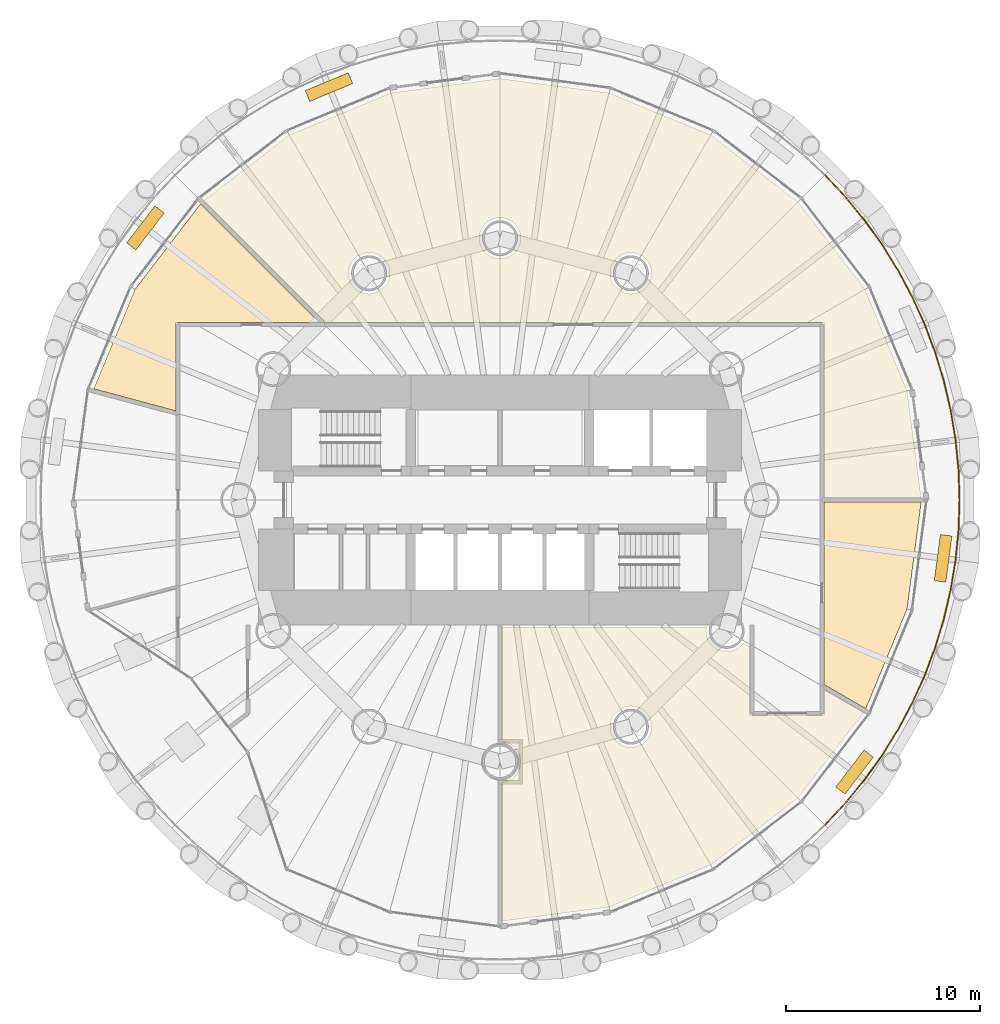
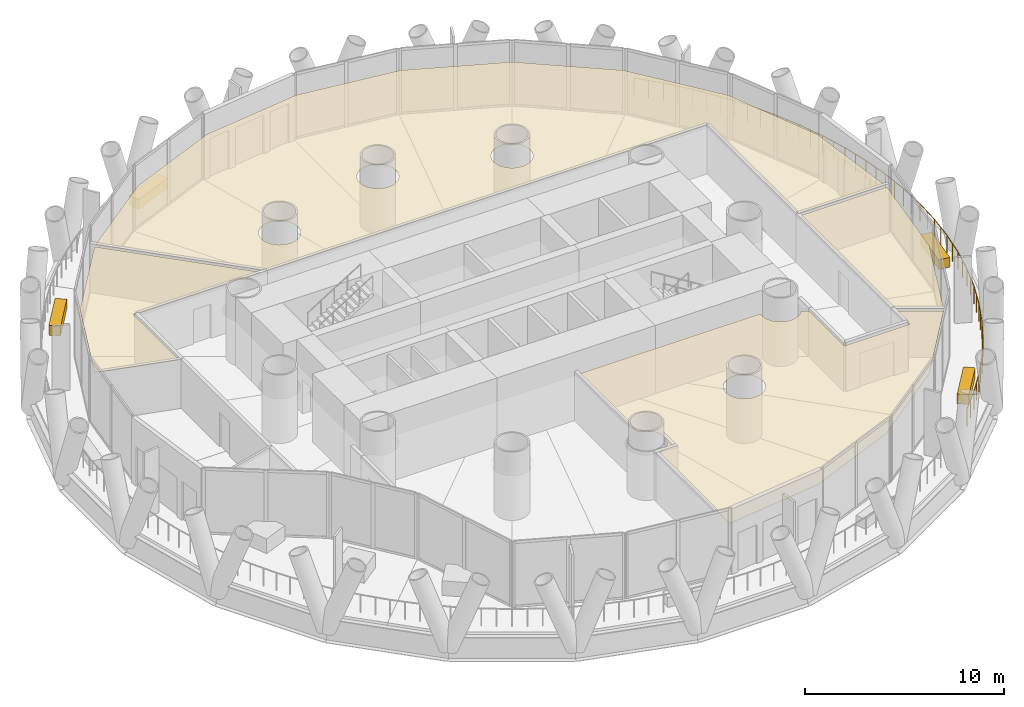
# One storey, part 13 of 14: 8 coverings, 1 railing.
"""IFC4 building model written with IfcOpenShell, lengths in metres."""

from ifc_helpers import new_model, si_unit, direction, frame, origin, origin_2d, place, context, subcontext, project, spatial, polyline, rectangle, circle, outline, extrude, material, layer, layer_set, type_object, element, save


model = new_model("IFC4")

# Units and contexts
model_context = context("Model", 3, precision=1e-05, world=origin(), true_north=direction((0.0, 1.0)))
body_context = subcontext(model_context, "Body", "Model", "MODEL_VIEW")
ifc_project = project(units=[si_unit("LENGTHUNIT", "METRE"), si_unit("AREAUNIT", "SQUARE_METRE"), si_unit("VOLUMEUNIT", "CUBIC_METRE"), si_unit("PLANEANGLEUNIT", "RADIAN"), si_unit("MASSUNIT", "GRAM", prefix="KILO")], contexts=[model_context])

# Site, building, storey
site_placement = place(None, origin())
site = spatial("IfcSite", under=ifc_project, at=site_placement, CompositionType="ELEMENT")
building_placement = place(site_placement, origin())
building = spatial("IfcBuilding", under=site, at=building_placement, Name="Qaws Media Tower", CompositionType="ELEMENT")
storey_placement = place(building_placement, frame((0.0, 0.0, 185.60009765625)))
storey = spatial("IfcBuildingStorey", under=building, at=storey_placement, Name="L42", CompositionType="ELEMENT", Elevation=185.60009765625)

# Railing
ifc_material_1 = material(Name="Stainless steel and glass guard", Category="steel")
railing_type = type_object("IfcRailingType", Name="Balcony guard 1100", PredefinedType="GUARDRAIL", material=ifc_material_1)
railing_placement = place(storey_placement, frame((76.758544921875, 33.241455078125, 0.0)))
element("IfcRailing", 1, at=railing_placement, inside=storey, type_object=railing_type, Name="GR1 balcony guard L42-4", PredefinedType="GUARDRAIL", context=body_context, shape_type="SweptSolid", body=[
    extrude(circle(Radius=0.02392578125, at=origin_2d()), frame((0.0, 0.0, 1.076171875), z_axis=(0.683506391464, 0.729944527227, 0.0), x_axis=(-0.729944527227, 0.683506391464, 0.0)), (0.0, 0.0, 1.0), 1.551025390625),
    extrude(circle(Radius=0.02392578125, at=origin_2d()), frame((1.06005859375, 1.132080078125, 1.076171875), z_axis=(0.634437227043, 0.772974388283, 0.0), x_axis=(-0.772974388283, 0.634437227043, 0.0)), (0.0, 0.0, 1.0), 1.55078125),
    extrude(circle(Radius=0.02392578125, at=origin_2d()), frame((2.0439453125, 2.330810546875, 1.076171875), z_axis=(0.582428805867, 0.812881717162, 0.0), x_axis=(-0.812881717162, 0.582428805867, 0.0)), (0.0, 0.0, 1.0), 1.551025390625),
    extrude(circle(Radius=0.02392578125, at=origin_2d()), frame((2.947265625, 3.591552734375, 1.076171875), z_axis=(0.528158129479, 0.849146035889, 0.0), x_axis=(-0.849146035889, 0.528158129479, 0.0)), (0.0, 0.0, 1.0), 1.55078125),
    extrude(circle(Radius=0.02392578125, at=origin_2d()), frame((3.766357421875, 4.908447265625, 1.076171875), z_axis=(0.471290719763, 0.881977923457, 0.0), x_axis=(-0.881977923457, 0.471290719763, 0.0)), (0.0, 0.0, 1.0), 1.551025390625),
    extrude(circle(Radius=0.02392578125, at=origin_2d()), frame((4.497314453125, 6.2763671875, 1.076171875), z_axis=(0.412758946804, 0.910840299851, 0.0), x_axis=(-0.910840299851, 0.412758946804, 0.0)), (0.0, 0.0, 1.0), 1.55078125),
    extrude(circle(Radius=0.02392578125, at=origin_2d()), frame((5.137451171875, 7.68896484375, 1.076171875), z_axis=(0.352175642703, 0.935933927522, 0.0), x_axis=(-0.935933927522, 0.352175642703, 0.0)), (0.0, 0.0, 1.0), 1.55078125),
    extrude(circle(Radius=0.02392578125, at=origin_2d()), frame((5.68359375, 9.140380859375, 1.076171875), z_axis=(0.290278263937, 0.956942281167, 0.0), x_axis=(-0.956942281167, 0.290278263937, 0.0)), (0.0, 0.0, 1.0), 1.551025390625),
    extrude(circle(Radius=0.02392578125, at=origin_2d()), frame((6.1337890625, 10.62451171875, 1.076171875), z_axis=(0.22713507216, 0.97386326504, 0.0), x_axis=(-0.97386326504, 0.22713507216, 0.0)), (0.0, 0.0, 1.0), 1.551025390625),
    extrude(circle(Radius=0.02392578125, at=origin_2d()), frame((6.486083984375, 12.135009765625, 1.076171875), z_axis=(0.162943612803, 0.98663538303, 0.0), x_axis=(-0.98663538303, 0.162943612803, 0.0)), (0.0, 0.0, 1.0), 1.55078125),
    extrude(circle(Radius=0.02392578125, at=origin_2d()), frame((6.73876953125, 13.6650390625, 1.076171875), z_axis=(0.097913828797, 0.995194896556, 0.0), x_axis=(-0.995194896556, 0.097913828797, 0.0)), (0.0, 0.0, 1.0), 1.551025390625),
    extrude(circle(Radius=0.02392578125, at=origin_2d()), frame((6.890625, 15.20849609375, 1.076171875), z_axis=(0.032743497856, 0.999463787912, 0.0), x_axis=(-0.999463787912, 0.032743497856, 0.0)), (0.0, 0.0, 1.0), 1.55078125),
    extrude(circle(Radius=0.02392578125, at=origin_2d()), frame((6.94140625, 16.758544921875, 1.076171875), z_axis=(-0.032743497856, 0.999463787912, 0.0), x_axis=(-0.999463787912, -0.032743497856, 0.0)), (0.0, 0.0, 1.0), 1.55078125),
    extrude(circle(Radius=0.02392578125, at=origin_2d()), frame((6.890625, 18.30859375, 1.076171875), z_axis=(-0.097913828797, 0.995194896556, 0.0), x_axis=(-0.995194896556, -0.097913828797, 0.0)), (0.0, 0.0, 1.0), 1.551025390625),
    extrude(circle(Radius=0.02392578125, at=origin_2d()), frame((6.73876953125, 19.85205078125, 1.076171875), z_axis=(-0.162943612803, 0.98663538303, 0.0), x_axis=(-0.98663538303, -0.162943612803, 0.0)), (0.0, 0.0, 1.0), 1.55078125),
    extrude(circle(Radius=0.02392578125, at=origin_2d()), frame((6.486083984375, 21.382080078125, 1.076171875), z_axis=(-0.22713507216, 0.97386326504, 0.0), x_axis=(-0.97386326504, -0.22713507216, 0.0)), (0.0, 0.0, 1.0), 1.551025390625),
    extrude(circle(Radius=0.02392578125, at=origin_2d()), frame((6.1337890625, 22.892578125, 1.076171875), z_axis=(-0.290278263937, 0.956942281167, 0.0), x_axis=(-0.956942281167, -0.290278263937, 0.0)), (0.0, 0.0, 1.0), 1.551025390625),
    extrude(circle(Radius=0.02392578125, at=origin_2d()), frame((5.68359375, 24.376708984375, 1.076171875), z_axis=(-0.352175642703, 0.935933927522, 0.0), x_axis=(-0.935933927522, -0.352175642703, 0.0)), (0.0, 0.0, 1.0), 1.55078125),
    extrude(circle(Radius=0.02392578125, at=origin_2d()), frame((5.137451171875, 25.828125, 1.076171875), z_axis=(-0.412758946804, 0.910840299851, 0.0), x_axis=(-0.910840299851, -0.412758946804, 0.0)), (0.0, 0.0, 1.0), 1.55078125),
    extrude(circle(Radius=0.02392578125, at=origin_2d()), frame((4.497314453125, 27.24072265625, 1.076171875), z_axis=(-0.471290719763, 0.881977923457, 0.0), x_axis=(-0.881977923457, -0.471290719763, 0.0)), (0.0, 0.0, 1.0), 1.551025390625),
    extrude(circle(Radius=0.02392578125, at=origin_2d()), frame((3.766357421875, 28.608642578125, 1.076171875), z_axis=(-0.528158129479, 0.849146035889, 0.0), x_axis=(-0.849146035889, -0.528158129479, 0.0)), (0.0, 0.0, 1.0), 1.55078125),
    extrude(circle(Radius=0.02392578125, at=origin_2d()), frame((2.947265625, 29.925537109375, 1.076171875), z_axis=(-0.582428805867, 0.812881717162, 0.0), x_axis=(-0.812881717162, -0.582428805867, 0.0)), (0.0, 0.0, 1.0), 1.551025390625),
    extrude(circle(Radius=0.02392578125, at=origin_2d()), frame((2.0439453125, 31.186279296875, 1.076171875), z_axis=(-0.634437227043, 0.772974388283, 0.0), x_axis=(-0.772974388283, -0.634437227043, 0.0)), (0.0, 0.0, 1.0), 1.55078125),
    extrude(circle(Radius=0.02392578125, at=origin_2d()), frame((1.06005859375, 32.385009765625, 1.076171875), z_axis=(-0.683506391464, 0.729944527227, 0.0), x_axis=(-0.729944527227, -0.683506391464, 0.0)), (0.0, 0.0, 1.0), 1.551025390625),
    extrude(circle(Radius=0.02099609375, at=origin_2d()), origin(), (0.0, 0.0, 1.0), 1.052001953125),
    extrude(circle(Radius=0.02099609375, at=origin_2d()), frame((0.530029296875, 0.56591796875, 0.0)), (0.0, 0.0, 1.0), 1.052001953125),
    extrude(circle(Radius=0.02099609375, at=origin_2d()), frame((1.06005859375, 1.132080078125, 0.0)), (0.0, 0.0, 1.0), 1.052001953125),
    extrude(circle(Radius=0.02099609375, at=origin_2d()), frame((1.552001953125, 1.7314453125, 0.0)), (0.0, 0.0, 1.0), 1.052001953125),
    extrude(circle(Radius=0.02099609375, at=origin_2d()), frame((2.0439453125, 2.330810546875, 0.0)), (0.0, 0.0, 1.0), 1.052001953125),
    extrude(circle(Radius=0.02099609375, at=origin_2d()), frame((2.49560546875, 2.961181640625, 0.0)), (0.0, 0.0, 1.0), 1.052001953125),
    extrude(circle(Radius=0.02099609375, at=origin_2d()), frame((2.947265625, 3.591552734375, 0.0)), (0.0, 0.0, 1.0), 1.052001953125),
    extrude(circle(Radius=0.02099609375, at=origin_2d()), frame((3.35693359375, 4.25, 0.0)), (0.0, 0.0, 1.0), 1.052001953125),
    extrude(circle(Radius=0.02099609375, at=origin_2d()), frame((3.766357421875, 4.908447265625, 0.0)), (0.0, 0.0, 1.0), 1.052001953125),
    extrude(circle(Radius=0.02099609375, at=origin_2d()), frame((4.1318359375, 5.59228515625, 0.0)), (0.0, 0.0, 1.0), 1.052001953125),
    extrude(circle(Radius=0.02099609375, at=origin_2d()), frame((4.497314453125, 6.2763671875, 0.0)), (0.0, 0.0, 1.0), 1.052001953125),
    extrude(circle(Radius=0.02099609375, at=origin_2d()), frame((4.8173828125, 6.982666015625, 0.0)), (0.0, 0.0, 1.0), 1.052001953125),
    extrude(circle(Radius=0.02099609375, at=origin_2d()), frame((5.137451171875, 7.68896484375, 0.0)), (0.0, 0.0, 1.0), 1.052001953125),
    extrude(circle(Radius=0.02099609375, at=origin_2d()), frame((5.41064453125, 8.41455078125, 0.0)), (0.0, 0.0, 1.0), 1.052001953125),
    extrude(circle(Radius=0.02099609375, at=origin_2d()), frame((5.68359375, 9.140380859375, 0.0)), (0.0, 0.0, 1.0), 1.052001953125),
    extrude(circle(Radius=0.02099609375, at=origin_2d()), frame((5.90869140625, 9.88232421875, 0.0)), (0.0, 0.0, 1.0), 1.052001953125),
    extrude(circle(Radius=0.02099609375, at=origin_2d()), frame((6.1337890625, 10.62451171875, 0.0)), (0.0, 0.0, 1.0), 1.052001953125),
    extrude(circle(Radius=0.02099609375, at=origin_2d()), frame((6.31005859375, 11.3798828125, 0.0)), (0.0, 0.0, 1.0), 1.052001953125),
    extrude(circle(Radius=0.02099609375, at=origin_2d()), frame((6.486083984375, 12.135009765625, 0.0)), (0.0, 0.0, 1.0), 1.052001953125),
    extrude(circle(Radius=0.02099609375, at=origin_2d()), frame((6.6123046875, 12.89990234375, 0.0)), (0.0, 0.0, 1.0), 1.052001953125),
    extrude(circle(Radius=0.02099609375, at=origin_2d()), frame((6.73876953125, 13.6650390625, 0.0)), (0.0, 0.0, 1.0), 1.052001953125),
    extrude(circle(Radius=0.02099609375, at=origin_2d()), frame((6.814697265625, 14.436767578125, 0.0)), (0.0, 0.0, 1.0), 1.052001953125),
    extrude(circle(Radius=0.02099609375, at=origin_2d()), frame((6.890625, 15.20849609375, 0.0)), (0.0, 0.0, 1.0), 1.052001953125),
    extrude(circle(Radius=0.02099609375, at=origin_2d()), frame((6.916015625, 15.9833984375, 0.0)), (0.0, 0.0, 1.0), 1.052001953125),
    extrude(circle(Radius=0.02099609375, at=origin_2d()), frame((6.94140625, 16.758544921875, 0.0)), (0.0, 0.0, 1.0), 1.052001953125),
    extrude(circle(Radius=0.02099609375, at=origin_2d()), frame((6.916015625, 17.53369140625, 0.0)), (0.0, 0.0, 1.0), 1.052001953125),
    extrude(circle(Radius=0.02099609375, at=origin_2d()), frame((6.890625, 18.30859375, 0.0)), (0.0, 0.0, 1.0), 1.052001953125),
    extrude(circle(Radius=0.02099609375, at=origin_2d()), frame((6.814697265625, 19.080322265625, 0.0)), (0.0, 0.0, 1.0), 1.052001953125),
    extrude(circle(Radius=0.02099609375, at=origin_2d()), frame((6.73876953125, 19.85205078125, 0.0)), (0.0, 0.0, 1.0), 1.052001953125),
    extrude(circle(Radius=0.02099609375, at=origin_2d()), frame((6.6123046875, 20.6171875, 0.0)), (0.0, 0.0, 1.0), 1.052001953125),
    extrude(circle(Radius=0.02099609375, at=origin_2d()), frame((6.486083984375, 21.382080078125, 0.0)), (0.0, 0.0, 1.0), 1.052001953125),
    extrude(circle(Radius=0.02099609375, at=origin_2d()), frame((6.31005859375, 22.13720703125, 0.0)), (0.0, 0.0, 1.0), 1.052001953125),
    extrude(circle(Radius=0.02099609375, at=origin_2d()), frame((6.1337890625, 22.892578125, 0.0)), (0.0, 0.0, 1.0), 1.052001953125),
    extrude(circle(Radius=0.02099609375, at=origin_2d()), frame((5.90869140625, 23.634765625, 0.0)), (0.0, 0.0, 1.0), 1.052001953125),
    extrude(circle(Radius=0.02099609375, at=origin_2d()), frame((5.68359375, 24.376708984375, 0.0)), (0.0, 0.0, 1.0), 1.052001953125),
    extrude(circle(Radius=0.02099609375, at=origin_2d()), frame((5.41064453125, 25.1025390625, 0.0)), (0.0, 0.0, 1.0), 1.052001953125),
    extrude(circle(Radius=0.02099609375, at=origin_2d()), frame((5.137451171875, 25.828125, 0.0)), (0.0, 0.0, 1.0), 1.052001953125),
    extrude(circle(Radius=0.02099609375, at=origin_2d()), frame((4.8173828125, 26.534423828125, 0.0)), (0.0, 0.0, 1.0), 1.052001953125),
    extrude(circle(Radius=0.02099609375, at=origin_2d()), frame((4.497314453125, 27.24072265625, 0.0)), (0.0, 0.0, 1.0), 1.052001953125),
    extrude(circle(Radius=0.02099609375, at=origin_2d()), frame((4.1318359375, 27.9248046875, 0.0)), (0.0, 0.0, 1.0), 1.052001953125),
    extrude(circle(Radius=0.02099609375, at=origin_2d()), frame((3.766357421875, 28.608642578125, 0.0)), (0.0, 0.0, 1.0), 1.052001953125),
    extrude(circle(Radius=0.02099609375, at=origin_2d()), frame((3.35693359375, 29.26708984375, 0.0)), (0.0, 0.0, 1.0), 1.052001953125),
    extrude(circle(Radius=0.02099609375, at=origin_2d()), frame((2.947265625, 29.925537109375, 0.0)), (0.0, 0.0, 1.0), 1.052001953125),
    extrude(circle(Radius=0.02099609375, at=origin_2d()), frame((2.49560546875, 30.555908203125, 0.0)), (0.0, 0.0, 1.0), 1.052001953125),
    extrude(circle(Radius=0.02099609375, at=origin_2d()), frame((2.0439453125, 31.186279296875, 0.0)), (0.0, 0.0, 1.0), 1.052001953125),
    extrude(circle(Radius=0.02099609375, at=origin_2d()), frame((1.552001953125, 31.78564453125, 0.0)), (0.0, 0.0, 1.0), 1.052001953125),
    extrude(circle(Radius=0.02099609375, at=origin_2d()), frame((1.06005859375, 32.385009765625, 0.0)), (0.0, 0.0, 1.0), 1.052001953125),
    extrude(circle(Radius=0.02099609375, at=origin_2d()), frame((0.530029296875, 32.951171875, 0.0)), (0.0, 0.0, 1.0), 1.052001953125),
    extrude(circle(Radius=0.02099609375, at=origin_2d()), frame((0.0, 33.51708984375, 0.0)), (0.0, 0.0, 1.0), 1.052001953125),
])

# Coverings
ifc_material_2 = material(Name="600 x 600 mineral fibre tiles in exposed grid, suspended", Category="mineral fibre")
ifc_layer_1 = layer(ifc_material_2, 0.02001953125)
ifc_layer_set_1 = layer_set([ifc_layer_1], Name="Mineral fibre tile ceiling 20")
covering_type_1 = type_object("IfcCoveringType", Name="Mineral fibre tile ceiling 20", PredefinedType="CEILING", material=ifc_layer_set_1)
covering_1_placement = place(storey_placement, frame((0.0, 0.0, 2.849853515625)))
element("IfcCovering", 2, at=covering_1_placement, inside=storey, type_object=covering_type_1, Name="CL1 ceiling L42-02 Marketing office", PredefinedType="CEILING", context=body_context, shape_type="SweptSolid", body=[
    extrude(outline(polyline([(49.13232421875, 68.8232421875), (54.37451171875, 70.99462890625), (60.0, 71.735107421875), (65.62548828125, 70.99462890625), (70.86767578125, 68.8232421875), (75.369140625, 65.369140625), (78.8232421875, 60.86767578125), (80.99462890625, 55.62548828125), (81.720458984375, 50.112548828125), (76.71240234375, 50.112548828125), (76.71240234375, 59.16259765625), (50.99658203125, 59.16259765625), (44.720947265625, 65.438232421875), (49.13232421875, 68.8232421875)]), holes=[polyline([(54.229248046875, 61.28564453125), (54.27392578125, 61.4169921875), (54.30078125, 61.552978515625), (54.31005859375, 61.69140625), (54.30078125, 61.82958984375), (54.27392578125, 61.9658203125), (54.229248046875, 62.096923828125), (54.16796875, 62.22119140625), (54.091064453125, 62.336669921875), (53.99951171875, 62.44091796875), (53.895263671875, 62.5322265625), (53.780029296875, 62.609375), (53.655517578125, 62.670654296875), (53.5244140625, 62.715087890625), (53.388427734375, 62.7421875), (53.25, 62.751220703125), (53.111572265625, 62.7421875), (52.9755859375, 62.715087890625), (52.844482421875, 62.670654296875), (52.719970703125, 62.609375), (52.604736328125, 62.5322265625), (52.50048828125, 62.44091796875), (52.408935546875, 62.336669921875), (52.33203125, 62.22119140625), (52.270751953125, 62.096923828125), (52.22607421875, 61.9658203125), (52.19921875, 61.82958984375), (52.18994140625, 61.69140625), (52.19921875, 61.552978515625), (52.22607421875, 61.4169921875), (52.270751953125, 61.28564453125), (52.33203125, 61.161376953125), (52.408935546875, 61.046142578125), (52.50048828125, 60.94189453125), (52.604736328125, 60.850341796875), (52.719970703125, 60.7734375), (52.844482421875, 60.7119140625), (52.9755859375, 60.66748046875), (53.111572265625, 60.640380859375), (53.25, 60.63134765625), (53.388427734375, 60.640380859375), (53.5244140625, 60.66748046875), (53.655517578125, 60.7119140625), (53.780029296875, 60.7734375), (53.895263671875, 60.850341796875), (53.99951171875, 60.94189453125), (54.091064453125, 61.046142578125), (54.16796875, 61.161376953125), (54.229248046875, 61.28564453125)]), polyline([(60.979248046875, 63.094482421875), (61.02392578125, 63.2255859375), (61.05078125, 63.361572265625), (61.06005859375, 63.5), (61.05078125, 63.638427734375), (61.02392578125, 63.7744140625), (60.979248046875, 63.905517578125), (60.91796875, 64.030029296875), (60.841064453125, 64.145263671875), (60.74951171875, 64.24951171875), (60.645263671875, 64.341064453125), (60.530029296875, 64.41796875), (60.405517578125, 64.479248046875), (60.2744140625, 64.52392578125), (60.138427734375, 64.55078125), (60.0, 64.56005859375), (59.861572265625, 64.55078125), (59.7255859375, 64.52392578125), (59.594482421875, 64.479248046875), (59.469970703125, 64.41796875), (59.354736328125, 64.341064453125), (59.25048828125, 64.24951171875), (59.158935546875, 64.145263671875), (59.08203125, 64.030029296875), (59.020751953125, 63.905517578125), (58.97607421875, 63.7744140625), (58.94921875, 63.638427734375), (58.93994140625, 63.5), (58.94921875, 63.361572265625), (58.97607421875, 63.2255859375), (59.020751953125, 63.094482421875), (59.08203125, 62.969970703125), (59.158935546875, 62.854736328125), (59.25048828125, 62.75048828125), (59.354736328125, 62.658935546875), (59.469970703125, 62.58203125), (59.594482421875, 62.520751953125), (59.7255859375, 62.47607421875), (59.861572265625, 62.44921875), (60.0, 62.43994140625), (60.138427734375, 62.44921875), (60.2744140625, 62.47607421875), (60.405517578125, 62.520751953125), (60.530029296875, 62.58203125), (60.645263671875, 62.658935546875), (60.74951171875, 62.75048828125), (60.841064453125, 62.854736328125), (60.91796875, 62.969970703125), (60.979248046875, 63.094482421875)]), polyline([(67.729248046875, 61.28564453125), (67.77392578125, 61.4169921875), (67.80078125, 61.552978515625), (67.81005859375, 61.69140625), (67.80078125, 61.82958984375), (67.77392578125, 61.9658203125), (67.729248046875, 62.096923828125), (67.66796875, 62.22119140625), (67.591064453125, 62.336669921875), (67.49951171875, 62.44091796875), (67.395263671875, 62.5322265625), (67.280029296875, 62.609375), (67.155517578125, 62.670654296875), (67.0244140625, 62.715087890625), (66.888427734375, 62.7421875), (66.75, 62.751220703125), (66.611572265625, 62.7421875), (66.4755859375, 62.715087890625), (66.344482421875, 62.670654296875), (66.219970703125, 62.609375), (66.104736328125, 62.5322265625), (66.00048828125, 62.44091796875), (65.908935546875, 62.336669921875), (65.83203125, 62.22119140625), (65.770751953125, 62.096923828125), (65.72607421875, 61.9658203125), (65.69921875, 61.82958984375), (65.68994140625, 61.69140625), (65.69921875, 61.552978515625), (65.72607421875, 61.4169921875), (65.770751953125, 61.28564453125), (65.83203125, 61.161376953125), (65.908935546875, 61.046142578125), (66.00048828125, 60.94189453125), (66.104736328125, 60.850341796875), (66.219970703125, 60.7734375), (66.344482421875, 60.7119140625), (66.4755859375, 60.66748046875), (66.611572265625, 60.640380859375), (66.75, 60.63134765625), (66.888427734375, 60.640380859375), (67.0244140625, 60.66748046875), (67.155517578125, 60.7119140625), (67.280029296875, 60.7734375), (67.395263671875, 60.850341796875), (67.49951171875, 60.94189453125), (67.591064453125, 61.046142578125), (67.66796875, 61.161376953125), (67.729248046875, 61.28564453125)])]), origin(), (0.0, 0.0, 1.0), 0.02001953125),
])
covering_2_placement = place(storey_placement, frame((0.0, 0.0, 2.849853515625)))
element("IfcCovering", 3, at=covering_2_placement, inside=storey, type_object=covering_type_1, Name="CL1 ceiling L42-07 Content studio", PredefinedType="CEILING", context=body_context, shape_type="SweptSolid", body=[
    extrude(outline(polyline([(72.887451171875, 38.887451171875), (76.71240234375, 38.887451171875), (76.71240234375, 40.22119140625), (78.754150390625, 39.04248046875), (75.369140625, 34.630859375), (70.86767578125, 31.1767578125), (65.62548828125, 29.00537109375), (60.112548828125, 28.279541015625), (60.112548828125, 35.447509765625), (60.138427734375, 35.44921875), (60.2744140625, 35.47607421875), (60.405517578125, 35.520751953125), (60.530029296875, 35.58203125), (60.645263671875, 35.658935546875), (60.74951171875, 35.75048828125), (60.841064453125, 35.854736328125), (60.91796875, 35.969970703125), (60.979248046875, 36.094482421875), (61.02392578125, 36.2255859375), (61.05078125, 36.361572265625), (61.06005859375, 36.5), (61.05078125, 36.638427734375), (61.02392578125, 36.7744140625), (60.979248046875, 36.905517578125), (60.91796875, 37.030029296875), (60.841064453125, 37.145263671875), (60.74951171875, 37.24951171875), (60.645263671875, 37.341064453125), (60.530029296875, 37.41796875), (60.405517578125, 37.479248046875), (60.2744140625, 37.52392578125), (60.138427734375, 37.55078125), (60.112548828125, 37.552490234375), (60.112548828125, 43.4375), (70.650146484375, 43.4375), (70.640380859375, 43.388427734375), (70.63134765625, 43.25), (70.640380859375, 43.111572265625), (70.66748046875, 42.9755859375), (70.7119140625, 42.844482421875), (70.7734375, 42.719970703125), (70.850341796875, 42.604736328125), (70.94189453125, 42.50048828125), (71.046142578125, 42.408935546875), (71.161376953125, 42.33203125), (71.28564453125, 42.270751953125), (71.4169921875, 42.22607421875), (71.552978515625, 42.19921875), (71.69140625, 42.18994140625), (71.82958984375, 42.19921875), (71.9658203125, 42.22607421875), (72.096923828125, 42.270751953125), (72.22119140625, 42.33203125), (72.336669921875, 42.408935546875), (72.44091796875, 42.50048828125), (72.5322265625, 42.604736328125), (72.546630859375, 42.626220703125), (72.887451171875, 42.429443359375), (72.887451171875, 38.887451171875)]), holes=[polyline([(67.729248046875, 37.903076171875), (67.77392578125, 38.0341796875), (67.80078125, 38.17041015625), (67.81005859375, 38.30859375), (67.80078125, 38.447021484375), (67.77392578125, 38.5830078125), (67.729248046875, 38.71435546875), (67.66796875, 38.838623046875), (67.591064453125, 38.953857421875), (67.49951171875, 39.05810546875), (67.395263671875, 39.149658203125), (67.280029296875, 39.2265625), (67.155517578125, 39.2880859375), (67.0244140625, 39.33251953125), (66.888427734375, 39.359619140625), (66.75, 39.36865234375), (66.611572265625, 39.359619140625), (66.4755859375, 39.33251953125), (66.344482421875, 39.2880859375), (66.219970703125, 39.2265625), (66.104736328125, 39.149658203125), (66.00048828125, 39.05810546875), (65.908935546875, 38.953857421875), (65.83203125, 38.838623046875), (65.770751953125, 38.71435546875), (65.72607421875, 38.5830078125), (65.69921875, 38.447021484375), (65.68994140625, 38.30859375), (65.69921875, 38.17041015625), (65.72607421875, 38.0341796875), (65.770751953125, 37.903076171875), (65.83203125, 37.77880859375), (65.908935546875, 37.663330078125), (66.00048828125, 37.55908203125), (66.104736328125, 37.4677734375), (66.219970703125, 37.390625), (66.344482421875, 37.329345703125), (66.4755859375, 37.284912109375), (66.611572265625, 37.2578125), (66.75, 37.248779296875), (66.888427734375, 37.2578125), (67.0244140625, 37.284912109375), (67.155517578125, 37.329345703125), (67.280029296875, 37.390625), (67.395263671875, 37.4677734375), (67.49951171875, 37.55908203125), (67.591064453125, 37.663330078125), (67.66796875, 37.77880859375), (67.729248046875, 37.903076171875)])]), origin(), (0.0, 0.0, 1.0), 0.02001953125),
])
covering_3_placement = place(storey_placement, frame((0.0, 0.0, 2.849853515625)))
element("IfcCovering", 4, at=covering_3_placement, inside=storey, type_object=covering_type_1, Name="CL1 ceiling L42-08 Content studio", PredefinedType="CEILING", context=body_context, shape_type="SweptSolid", body=[
    extrude(outline(polyline([(80.99462890625, 44.37451171875), (78.86669921875, 39.2373046875), (76.71240234375, 40.48095703125), (76.71240234375, 49.887451171875), (81.720458984375, 49.887451171875), (80.99462890625, 44.37451171875)])), origin(), (0.0, 0.0, 1.0), 0.02001953125),
])
ifc_material_3 = material(Name="Precast concrete planter with trailing planting", Category="concrete")
ifc_layer_2 = layer(ifc_material_3, 0.60009765625)
ifc_layer_set_2 = layer_set([ifc_layer_2], Name="Planter 2400x600")
covering_type_2 = type_object("IfcCoveringType", Name="Planter 2400x600", PredefinedType="USERDEFINED", material=ifc_layer_set_2)
for number, where, z_axis, x_axis, name in (
    (5, (51.17919921875, 71.29541015625, -0.000244140625), (0.0, 0.0, 1.0), (-0.923879532511, -0.382683432365, 0.0), "PL1 balcony planter L42-04"),
    (6, (41.713134765625, 64.031982421875, -0.000244140625), (0.0, 0.0, 1.0), (-0.608761429009, -0.793353340291, 0.0), "PL1 balcony planter L42-05"),
    (7, (78.286865234375, 35.968017578125, -0.000244140625), (0.0, 0.0, 1.0), (0.608761429009, 0.793353340291, 0.0), "PL1 balcony planter L42-11"),
    (8, (82.852783203125, 46.991455078125, -0.000244140625), (0.0, 0.0, 1.0), (0.13052619222, 0.991444861374, 0.0), "PL1 balcony planter L42-12"),
):
    element("IfcCovering", number, at=place(storey_placement, frame(where, z_axis=z_axis, x_axis=x_axis)), inside=storey, type_object=covering_type_2, Name=name, ObjectType="PLANTER", PredefinedType="USERDEFINED", context=body_context, shape_type="SweptSolid", body=[
        extrude(rectangle(XDim=2.39990234375, YDim=0.60009765625, at=origin_2d()), origin(), (0.0, 0.0, 1.0), 0.60009765625),
    ])
ifc_material_4 = material(Name="Two layers 12.5 moisture-resistant plasterboard on suspended metal furring", Category="gypsum")
ifc_layer_3 = layer(ifc_material_4, 0.02490234375)
ifc_layer_set_3 = layer_set([ifc_layer_3], Name="Plasterboard ceiling 25")
covering_type_3 = type_object("IfcCoveringType", Name="Plasterboard ceiling 25", PredefinedType="CEILING", material=ifc_layer_set_3)
covering_4_placement = place(storey_placement, frame((0.0, 0.0, 2.849853515625)))
element("IfcCovering", 9, at=covering_4_placement, inside=storey, type_object=covering_type_3, Name="CL2 ceiling L42-03 Brand studio", PredefinedType="CEILING", context=body_context, shape_type="SweptSolid", body=[
    extrude(outline(polyline([(41.1767578125, 60.86767578125), (44.561767578125, 65.279052734375), (50.678466796875, 59.16259765625), (43.28759765625, 59.16259765625), (43.28759765625, 54.594482421875), (39.048828125, 55.730224609375), (41.1767578125, 60.86767578125)])), origin(), (0.0, 0.0, 1.0), 0.025146484375),
])

save(model, "model.ifc")
